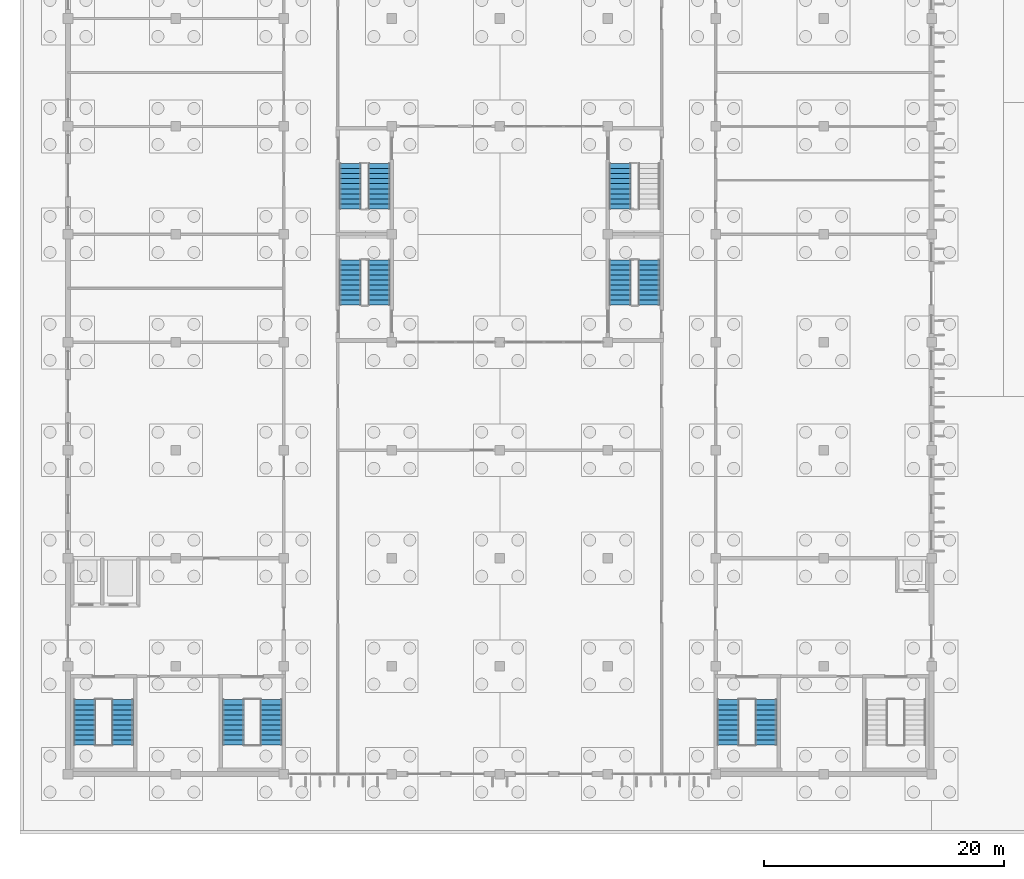
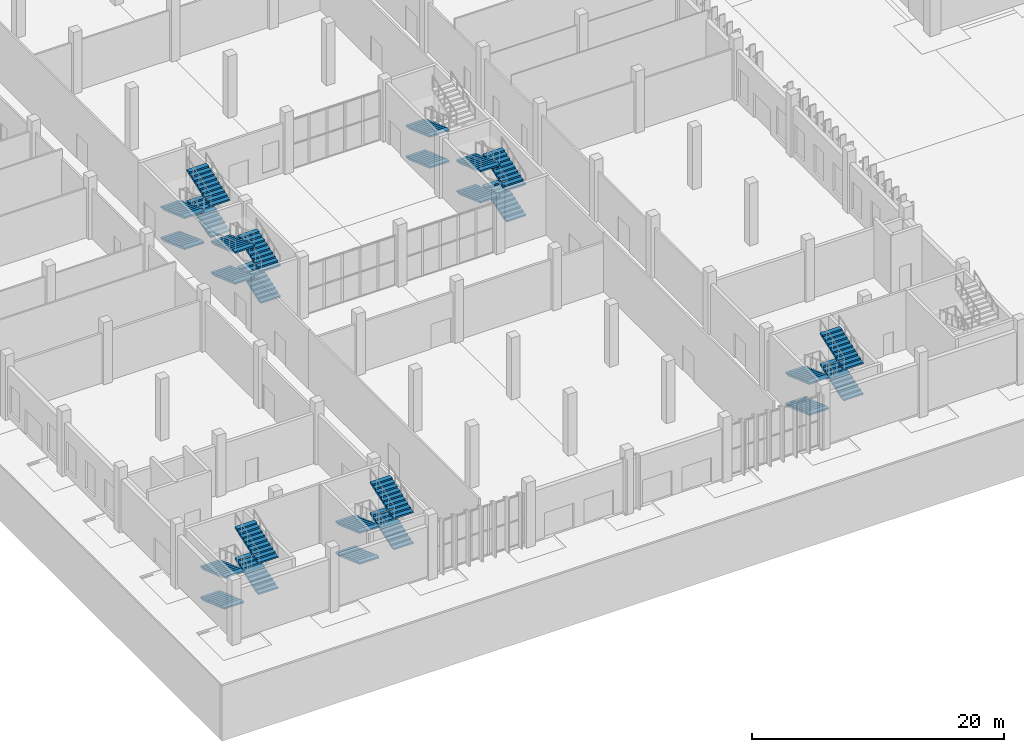
# One storey, part 108 of 198: 26 stair flights, 7 elements without a shape of their own.
"""IFC4 building model written with IfcOpenShell, lengths in metres."""

from ifc_helpers import new_model, si_unit, direction, frame, origin, place, context, subcontext, project, spatial, polyline, outline, extrude, material, type_object, element, aggregate, save


model = new_model("IFC4")

# Units and contexts
model_context = context("Model", 3, precision=1e-05, world=origin(), true_north=direction((0.0, 1.0)))
body_context = subcontext(model_context, "Body", "Model", "MODEL_VIEW")
ifc_project = project(units=[si_unit("LENGTHUNIT", "METRE"), si_unit("AREAUNIT", "SQUARE_METRE"), si_unit("VOLUMEUNIT", "CUBIC_METRE"), si_unit("PLANEANGLEUNIT", "RADIAN"), si_unit("MASSUNIT", "GRAM", prefix="KILO")], contexts=[model_context])

# Site, building, storey
site_placement = place(None, origin())
site = spatial("IfcSite", under=ifc_project, at=site_placement, CompositionType="ELEMENT")
building_placement = place(site_placement, origin())
building = spatial("IfcBuilding", under=site, at=building_placement, Name="Opaline Strait Convention Centre", CompositionType="ELEMENT")
storey_placement = place(building_placement, origin())
storey = spatial("IfcBuildingStorey", under=building, at=storey_placement, Name="L00", CompositionType="ELEMENT", Elevation=0.0)

# Stair, stair flights
ifc_material = material(Name="Concrete C40", Category="concrete")
stair_type = type_object("IfcStairType", Name="Exit stair two flights 1800 C40", PredefinedType="HALF_TURN_STAIR", material=ifc_material)
stair_1_placement = place(storey_placement, origin())
stair_1 = element("IfcStair", 1, at=stair_1_placement, inside=storey, type_object=stair_type, Name="L00 SWA", ObjectType="RST1", PredefinedType="HALF_TURN_STAIR")
stair_flight_type = type_object("IfcStairFlightType", Name="Stair flight 1800 C40", PredefinedType="STRAIGHT", material=ifc_material)
stair_flight_1_placement = place(storey_placement, frame((10.39990234375, 15.199951171875, 0.0), z_axis=(0.0, 0.0, 1.0), x_axis=(0.0, -1.0, 0.0)))
stair_flight_1 = element("IfcStairFlight", 2, at=stair_flight_1_placement, type_object=stair_flight_type, Name="SWA flight 1", ObjectType="RSF1", NumberOfRisers=10, NumberOfTreads=9, PredefinedType="STRAIGHT", RiserHeight=0.15, TreadLength=0.42, context=body_context, shape_type="SweptSolid", body=[
    extrude(outline(polyline([(0.0, 0.0), (0.0, 0.14990234375), (0.419921875, 0.14990234375), (0.419921875, 0.300048828125), (0.840087890625, 0.300048828125), (0.840087890625, 0.449951171875), (1.260009765625, 0.449951171875), (1.260009765625, 0.60009765625), (1.679931640625, 0.60009765625), (1.679931640625, 0.75), (2.10009765625, 0.75), (2.10009765625, 0.89990234375), (2.52001953125, 0.89990234375), (2.52001953125, 1.050048828125), (2.93994140625, 1.050048828125), (2.93994140625, 1.199951171875), (3.360107421875, 1.199951171875), (3.360107421875, 1.35009765625), (3.780029296875, 1.35009765625), (3.780029296875, 1.5), (3.780029296875, 1.19091796875), (0.44580078125, 0.0), (0.0, 0.0)])), frame((0.0, 0.89990234375, 0.0), z_axis=(0.0, -1.0, 0.0), x_axis=(1.0, 0.0, 0.0)), (0.0, 0.0, 1.0), 1.800048828125),
])
stair_flight_2_placement = place(storey_placement, frame((13.550048828125, 11.419921875, 1.5), z_axis=(0.0, 0.0, 1.0), x_axis=(0.0, 1.0, 0.0)))
stair_flight_2 = element("IfcStairFlight", 3, at=stair_flight_2_placement, type_object=stair_flight_type, Name="SWA flight 2", ObjectType="RSF1", NumberOfRisers=10, NumberOfTreads=9, PredefinedType="STRAIGHT", RiserHeight=0.15, TreadLength=0.42, context=body_context, shape_type="SweptSolid", body=[
    extrude(outline(polyline([(0.0, 0.0), (0.0, 0.14990234375), (0.419921875, 0.14990234375), (0.419921875, 0.300048828125), (0.840087890625, 0.300048828125), (0.840087890625, 0.449951171875), (1.260009765625, 0.449951171875), (1.260009765625, 0.60009765625), (1.679931640625, 0.60009765625), (1.679931640625, 0.75), (2.10009765625, 0.75), (2.10009765625, 0.89990234375), (2.52001953125, 0.89990234375), (2.52001953125, 1.050048828125), (2.93994140625, 1.050048828125), (2.93994140625, 1.199951171875), (3.360107421875, 1.199951171875), (3.360107421875, 1.35009765625), (3.780029296875, 1.35009765625), (3.780029296875, 1.5), (3.780029296875, 1.19091796875), (0.44580078125, 0.0), (0.0, 0.0)])), frame((0.0, 0.89990234375, 0.0), z_axis=(0.0, -1.0, 0.0), x_axis=(1.0, 0.0, 0.0)), (0.0, 0.0, 1.0), 1.800048828125),
])
stair_flight_3_placement = place(storey_placement, frame((10.39990234375, 15.199951171875, 3.0), z_axis=(0.0, 0.0, 1.0), x_axis=(0.0, -1.0, 0.0)))
stair_flight_3 = element("IfcStairFlight", 4, at=stair_flight_3_placement, type_object=stair_flight_type, Name="SWA flight 3", ObjectType="RSF1", NumberOfRisers=10, NumberOfTreads=9, PredefinedType="STRAIGHT", RiserHeight=0.15, TreadLength=0.42, context=body_context, shape_type="SweptSolid", body=[
    extrude(outline(polyline([(0.0, 0.0), (0.0, 0.14990234375), (0.419921875, 0.14990234375), (0.419921875, 0.300048828125), (0.840087890625, 0.300048828125), (0.840087890625, 0.449951171875), (1.260009765625, 0.449951171875), (1.260009765625, 0.60009765625), (1.679931640625, 0.60009765625), (1.679931640625, 0.75), (2.10009765625, 0.75), (2.10009765625, 0.89990234375), (2.52001953125, 0.89990234375), (2.52001953125, 1.050048828125), (2.93994140625, 1.050048828125), (2.93994140625, 1.199951171875), (3.360107421875, 1.199951171875), (3.360107421875, 1.35009765625), (3.780029296875, 1.35009765625), (3.780029296875, 1.5), (3.780029296875, 1.19091796875), (0.44580078125, 0.0), (0.0, 0.0)])), frame((0.0, 0.89990234375, 0.0), z_axis=(0.0, -1.0, 0.0), x_axis=(1.0, 0.0, 0.0)), (0.0, 0.0, 1.0), 1.800048828125),
])
stair_flight_4_placement = place(storey_placement, frame((13.550048828125, 11.419921875, 4.5), z_axis=(0.0, 0.0, 1.0), x_axis=(0.0, 1.0, 0.0)))
stair_flight_4 = element("IfcStairFlight", 5, at=stair_flight_4_placement, type_object=stair_flight_type, Name="SWA flight 4", ObjectType="RSF1", NumberOfRisers=10, NumberOfTreads=9, PredefinedType="STRAIGHT", RiserHeight=0.15, TreadLength=0.42, context=body_context, shape_type="SweptSolid", body=[
    extrude(outline(polyline([(0.0, 0.0), (0.0, 0.14990234375), (0.419921875, 0.14990234375), (0.419921875, 0.300048828125), (0.840087890625, 0.300048828125), (0.840087890625, 0.449951171875), (1.260009765625, 0.449951171875), (1.260009765625, 0.60009765625), (1.679931640625, 0.60009765625), (1.679931640625, 0.75), (2.10009765625, 0.75), (2.10009765625, 0.89990234375), (2.52001953125, 0.89990234375), (2.52001953125, 1.050048828125), (2.93994140625, 1.050048828125), (2.93994140625, 1.199951171875), (3.360107421875, 1.199951171875), (3.360107421875, 1.35009765625), (3.780029296875, 1.35009765625), (3.780029296875, 1.5), (3.780029296875, 1.19091796875), (0.44580078125, 0.0), (0.0, 0.0)])), frame((0.0, 0.89990234375, 0.0), z_axis=(0.0, -1.0, 0.0), x_axis=(1.0, 0.0, 0.0)), (0.0, 0.0, 1.0), 1.800048828125),
])
aggregate(stair_1, [stair_flight_1, stair_flight_2, stair_flight_3, stair_flight_4])

stair_2_placement = place(storey_placement, origin())
stair_2 = element("IfcStair", 6, at=stair_2_placement, inside=storey, type_object=stair_type, Name="L00 SWB", ObjectType="RST1", PredefinedType="HALF_TURN_STAIR")
stair_flight_5_placement = place(storey_placement, frame((22.800048828125, 15.199951171875, 0.0), z_axis=(0.0, 0.0, 1.0), x_axis=(0.0, -1.0, 0.0)))
stair_flight_5 = element("IfcStairFlight", 7, at=stair_flight_5_placement, type_object=stair_flight_type, Name="SWB flight 1", ObjectType="RSF1", NumberOfRisers=10, NumberOfTreads=9, PredefinedType="STRAIGHT", RiserHeight=0.15, TreadLength=0.42, context=body_context, shape_type="SweptSolid", body=[
    extrude(outline(polyline([(0.0, 0.0), (0.0, 0.14990234375), (0.419921875, 0.14990234375), (0.419921875, 0.300048828125), (0.840087890625, 0.300048828125), (0.840087890625, 0.449951171875), (1.260009765625, 0.449951171875), (1.260009765625, 0.60009765625), (1.679931640625, 0.60009765625), (1.679931640625, 0.75), (2.10009765625, 0.75), (2.10009765625, 0.89990234375), (2.52001953125, 0.89990234375), (2.52001953125, 1.050048828125), (2.93994140625, 1.050048828125), (2.93994140625, 1.199951171875), (3.360107421875, 1.199951171875), (3.360107421875, 1.35009765625), (3.780029296875, 1.35009765625), (3.780029296875, 1.5), (3.780029296875, 1.19091796875), (0.44580078125, 0.0), (0.0, 0.0)])), frame((0.0, 0.89990234375, 0.0), z_axis=(0.0, -1.0, 0.0), x_axis=(1.0, 0.0, 0.0)), (0.0, 0.0, 1.0), 1.800048828125),
])
stair_flight_6_placement = place(storey_placement, frame((25.949951171875, 11.419921875, 1.5), z_axis=(0.0, 0.0, 1.0), x_axis=(0.0, 1.0, 0.0)))
stair_flight_6 = element("IfcStairFlight", 8, at=stair_flight_6_placement, type_object=stair_flight_type, Name="SWB flight 2", ObjectType="RSF1", NumberOfRisers=10, NumberOfTreads=9, PredefinedType="STRAIGHT", RiserHeight=0.15, TreadLength=0.42, context=body_context, shape_type="SweptSolid", body=[
    extrude(outline(polyline([(0.0, 0.0), (0.0, 0.14990234375), (0.419921875, 0.14990234375), (0.419921875, 0.300048828125), (0.840087890625, 0.300048828125), (0.840087890625, 0.449951171875), (1.260009765625, 0.449951171875), (1.260009765625, 0.60009765625), (1.679931640625, 0.60009765625), (1.679931640625, 0.75), (2.10009765625, 0.75), (2.10009765625, 0.89990234375), (2.52001953125, 0.89990234375), (2.52001953125, 1.050048828125), (2.93994140625, 1.050048828125), (2.93994140625, 1.199951171875), (3.360107421875, 1.199951171875), (3.360107421875, 1.35009765625), (3.780029296875, 1.35009765625), (3.780029296875, 1.5), (3.780029296875, 1.19091796875), (0.44580078125, 0.0), (0.0, 0.0)])), frame((0.0, 0.89990234375, 0.0), z_axis=(0.0, -1.0, 0.0), x_axis=(1.0, 0.0, 0.0)), (0.0, 0.0, 1.0), 1.800048828125),
])
stair_flight_7_placement = place(storey_placement, frame((22.800048828125, 15.199951171875, 3.0), z_axis=(0.0, 0.0, 1.0), x_axis=(0.0, -1.0, 0.0)))
stair_flight_7 = element("IfcStairFlight", 9, at=stair_flight_7_placement, type_object=stair_flight_type, Name="SWB flight 3", ObjectType="RSF1", NumberOfRisers=10, NumberOfTreads=9, PredefinedType="STRAIGHT", RiserHeight=0.15, TreadLength=0.42, context=body_context, shape_type="SweptSolid", body=[
    extrude(outline(polyline([(0.0, 0.0), (0.0, 0.14990234375), (0.419921875, 0.14990234375), (0.419921875, 0.300048828125), (0.840087890625, 0.300048828125), (0.840087890625, 0.449951171875), (1.260009765625, 0.449951171875), (1.260009765625, 0.60009765625), (1.679931640625, 0.60009765625), (1.679931640625, 0.75), (2.10009765625, 0.75), (2.10009765625, 0.89990234375), (2.52001953125, 0.89990234375), (2.52001953125, 1.050048828125), (2.93994140625, 1.050048828125), (2.93994140625, 1.199951171875), (3.360107421875, 1.199951171875), (3.360107421875, 1.35009765625), (3.780029296875, 1.35009765625), (3.780029296875, 1.5), (3.780029296875, 1.19091796875), (0.44580078125, 0.0), (0.0, 0.0)])), frame((0.0, 0.89990234375, 0.0), z_axis=(0.0, -1.0, 0.0), x_axis=(1.0, 0.0, 0.0)), (0.0, 0.0, 1.0), 1.800048828125),
])
stair_flight_8_placement = place(storey_placement, frame((25.949951171875, 11.419921875, 4.5), z_axis=(0.0, 0.0, 1.0), x_axis=(0.0, 1.0, 0.0)))
stair_flight_8 = element("IfcStairFlight", 10, at=stair_flight_8_placement, type_object=stair_flight_type, Name="SWB flight 4", ObjectType="RSF1", NumberOfRisers=10, NumberOfTreads=9, PredefinedType="STRAIGHT", RiserHeight=0.15, TreadLength=0.42, context=body_context, shape_type="SweptSolid", body=[
    extrude(outline(polyline([(0.0, 0.0), (0.0, 0.14990234375), (0.419921875, 0.14990234375), (0.419921875, 0.300048828125), (0.840087890625, 0.300048828125), (0.840087890625, 0.449951171875), (1.260009765625, 0.449951171875), (1.260009765625, 0.60009765625), (1.679931640625, 0.60009765625), (1.679931640625, 0.75), (2.10009765625, 0.75), (2.10009765625, 0.89990234375), (2.52001953125, 0.89990234375), (2.52001953125, 1.050048828125), (2.93994140625, 1.050048828125), (2.93994140625, 1.199951171875), (3.360107421875, 1.199951171875), (3.360107421875, 1.35009765625), (3.780029296875, 1.35009765625), (3.780029296875, 1.5), (3.780029296875, 1.19091796875), (0.44580078125, 0.0), (0.0, 0.0)])), frame((0.0, 0.89990234375, 0.0), z_axis=(0.0, -1.0, 0.0), x_axis=(1.0, 0.0, 0.0)), (0.0, 0.0, 1.0), 1.800048828125),
])
aggregate(stair_2, [stair_flight_5, stair_flight_6, stair_flight_7, stair_flight_8])

stair_3_placement = place(storey_placement, origin())
stair_3 = element("IfcStair", 11, at=stair_3_placement, inside=storey, type_object=stair_type, Name="L00 SEB", ObjectType="RST1", PredefinedType="HALF_TURN_STAIR")
stair_flight_9_placement = place(storey_placement, frame((64.050048828125, 15.199951171875, 0.0), z_axis=(0.0, 0.0, 1.0), x_axis=(0.0, -1.0, 0.0)))
stair_flight_9 = element("IfcStairFlight", 12, at=stair_flight_9_placement, type_object=stair_flight_type, Name="SEB flight 1", ObjectType="RSF1", NumberOfRisers=10, NumberOfTreads=9, PredefinedType="STRAIGHT", RiserHeight=0.15, TreadLength=0.42, context=body_context, shape_type="SweptSolid", body=[
    extrude(outline(polyline([(0.0, 0.0), (0.0, 0.14990234375), (0.419921875, 0.14990234375), (0.419921875, 0.300048828125), (0.840087890625, 0.300048828125), (0.840087890625, 0.449951171875), (1.260009765625, 0.449951171875), (1.260009765625, 0.60009765625), (1.679931640625, 0.60009765625), (1.679931640625, 0.75), (2.10009765625, 0.75), (2.10009765625, 0.89990234375), (2.52001953125, 0.89990234375), (2.52001953125, 1.050048828125), (2.93994140625, 1.050048828125), (2.93994140625, 1.199951171875), (3.360107421875, 1.199951171875), (3.360107421875, 1.35009765625), (3.780029296875, 1.35009765625), (3.780029296875, 1.5), (3.780029296875, 1.19091796875), (0.44580078125, 0.0), (0.0, 0.0)])), frame((0.0, 0.89990234375, 0.0), z_axis=(0.0, -1.0, 0.0), x_axis=(1.0, 0.0, 0.0)), (0.0, 0.0, 1.0), 1.800048828125),
])
stair_flight_10_placement = place(storey_placement, frame((67.199951171875, 11.419921875, 1.5), z_axis=(0.0, 0.0, 1.0), x_axis=(0.0, 1.0, 0.0)))
stair_flight_10 = element("IfcStairFlight", 13, at=stair_flight_10_placement, type_object=stair_flight_type, Name="SEB flight 2", ObjectType="RSF1", NumberOfRisers=10, NumberOfTreads=9, PredefinedType="STRAIGHT", RiserHeight=0.15, TreadLength=0.42, context=body_context, shape_type="SweptSolid", body=[
    extrude(outline(polyline([(0.0, 0.0), (0.0, 0.14990234375), (0.419921875, 0.14990234375), (0.419921875, 0.300048828125), (0.840087890625, 0.300048828125), (0.840087890625, 0.449951171875), (1.260009765625, 0.449951171875), (1.260009765625, 0.60009765625), (1.679931640625, 0.60009765625), (1.679931640625, 0.75), (2.10009765625, 0.75), (2.10009765625, 0.89990234375), (2.52001953125, 0.89990234375), (2.52001953125, 1.050048828125), (2.93994140625, 1.050048828125), (2.93994140625, 1.199951171875), (3.360107421875, 1.199951171875), (3.360107421875, 1.35009765625), (3.780029296875, 1.35009765625), (3.780029296875, 1.5), (3.780029296875, 1.19091796875), (0.44580078125, 0.0), (0.0, 0.0)])), frame((0.0, 0.89990234375, 0.0), z_axis=(0.0, -1.0, 0.0), x_axis=(1.0, 0.0, 0.0)), (0.0, 0.0, 1.0), 1.800048828125),
])
stair_flight_11_placement = place(storey_placement, frame((64.050048828125, 15.199951171875, 3.0), z_axis=(0.0, 0.0, 1.0), x_axis=(0.0, -1.0, 0.0)))
stair_flight_11 = element("IfcStairFlight", 14, at=stair_flight_11_placement, type_object=stair_flight_type, Name="SEB flight 3", ObjectType="RSF1", NumberOfRisers=10, NumberOfTreads=9, PredefinedType="STRAIGHT", RiserHeight=0.15, TreadLength=0.42, context=body_context, shape_type="SweptSolid", body=[
    extrude(outline(polyline([(0.0, 0.0), (0.0, 0.14990234375), (0.419921875, 0.14990234375), (0.419921875, 0.300048828125), (0.840087890625, 0.300048828125), (0.840087890625, 0.449951171875), (1.260009765625, 0.449951171875), (1.260009765625, 0.60009765625), (1.679931640625, 0.60009765625), (1.679931640625, 0.75), (2.10009765625, 0.75), (2.10009765625, 0.89990234375), (2.52001953125, 0.89990234375), (2.52001953125, 1.050048828125), (2.93994140625, 1.050048828125), (2.93994140625, 1.199951171875), (3.360107421875, 1.199951171875), (3.360107421875, 1.35009765625), (3.780029296875, 1.35009765625), (3.780029296875, 1.5), (3.780029296875, 1.19091796875), (0.44580078125, 0.0), (0.0, 0.0)])), frame((0.0, 0.89990234375, 0.0), z_axis=(0.0, -1.0, 0.0), x_axis=(1.0, 0.0, 0.0)), (0.0, 0.0, 1.0), 1.800048828125),
])
stair_flight_12_placement = place(storey_placement, frame((67.199951171875, 11.419921875, 4.5), z_axis=(0.0, 0.0, 1.0), x_axis=(0.0, 1.0, 0.0)))
stair_flight_12 = element("IfcStairFlight", 15, at=stair_flight_12_placement, type_object=stair_flight_type, Name="SEB flight 4", ObjectType="RSF1", NumberOfRisers=10, NumberOfTreads=9, PredefinedType="STRAIGHT", RiserHeight=0.15, TreadLength=0.42, context=body_context, shape_type="SweptSolid", body=[
    extrude(outline(polyline([(0.0, 0.0), (0.0, 0.14990234375), (0.419921875, 0.14990234375), (0.419921875, 0.300048828125), (0.840087890625, 0.300048828125), (0.840087890625, 0.449951171875), (1.260009765625, 0.449951171875), (1.260009765625, 0.60009765625), (1.679931640625, 0.60009765625), (1.679931640625, 0.75), (2.10009765625, 0.75), (2.10009765625, 0.89990234375), (2.52001953125, 0.89990234375), (2.52001953125, 1.050048828125), (2.93994140625, 1.050048828125), (2.93994140625, 1.199951171875), (3.360107421875, 1.199951171875), (3.360107421875, 1.35009765625), (3.780029296875, 1.35009765625), (3.780029296875, 1.5), (3.780029296875, 1.19091796875), (0.44580078125, 0.0), (0.0, 0.0)])), frame((0.0, 0.89990234375, 0.0), z_axis=(0.0, -1.0, 0.0), x_axis=(1.0, 0.0, 0.0)), (0.0, 0.0, 1.0), 1.800048828125),
])
aggregate(stair_3, [stair_flight_9, stair_flight_10, stair_flight_11, stair_flight_12])

stair_4_placement = place(storey_placement, origin())
stair_4 = element("IfcStair", 16, at=stair_4_placement, inside=storey, type_object=stair_type, Name="L00 ME1", ObjectType="RST1", PredefinedType="HALF_TURN_STAIR")
stair_flight_13_placement = place(storey_placement, frame((57.449951171875, 48.10009765625, 0.0), z_axis=(0.0, 0.0, 1.0), x_axis=(0.0, 1.0, 0.0)))
stair_flight_13 = element("IfcStairFlight", 17, at=stair_flight_13_placement, type_object=stair_flight_type, Name="ME1 flight 1", ObjectType="RSF1", NumberOfRisers=10, NumberOfTreads=9, PredefinedType="STRAIGHT", RiserHeight=0.15, TreadLength=0.42, context=body_context, shape_type="SweptSolid", body=[
    extrude(outline(polyline([(0.0, 0.0), (0.0, 0.14990234375), (0.419921875, 0.14990234375), (0.419921875, 0.300048828125), (0.840087890625, 0.300048828125), (0.840087890625, 0.449951171875), (1.260009765625, 0.449951171875), (1.260009765625, 0.60009765625), (1.679931640625, 0.60009765625), (1.679931640625, 0.75), (2.10009765625, 0.75), (2.10009765625, 0.89990234375), (2.52001953125, 0.89990234375), (2.52001953125, 1.050048828125), (2.93994140625, 1.050048828125), (2.93994140625, 1.199951171875), (3.360107421875, 1.199951171875), (3.360107421875, 1.35009765625), (3.780029296875, 1.35009765625), (3.780029296875, 1.5), (3.780029296875, 1.19091796875), (0.44580078125, 0.0), (0.0, 0.0)])), frame((0.0, 0.89990234375, 0.0), z_axis=(0.0, -1.0, 0.0), x_axis=(1.0, 0.0, 0.0)), (0.0, 0.0, 1.0), 1.800048828125),
])
stair_flight_14_placement = place(storey_placement, frame((55.050048828125, 51.8798828125, 1.5), z_axis=(0.0, 0.0, 1.0), x_axis=(0.0, -1.0, 0.0)))
stair_flight_14 = element("IfcStairFlight", 18, at=stair_flight_14_placement, type_object=stair_flight_type, Name="ME1 flight 2", ObjectType="RSF1", NumberOfRisers=10, NumberOfTreads=9, PredefinedType="STRAIGHT", RiserHeight=0.15, TreadLength=0.42, context=body_context, shape_type="SweptSolid", body=[
    extrude(outline(polyline([(0.0, 0.0), (0.0, 0.14990234375), (0.419921875, 0.14990234375), (0.419921875, 0.300048828125), (0.840087890625, 0.300048828125), (0.840087890625, 0.449951171875), (1.260009765625, 0.449951171875), (1.260009765625, 0.60009765625), (1.679931640625, 0.60009765625), (1.679931640625, 0.75), (2.10009765625, 0.75), (2.10009765625, 0.89990234375), (2.52001953125, 0.89990234375), (2.52001953125, 1.050048828125), (2.93994140625, 1.050048828125), (2.93994140625, 1.199951171875), (3.360107421875, 1.199951171875), (3.360107421875, 1.35009765625), (3.780029296875, 1.35009765625), (3.780029296875, 1.5), (3.780029296875, 1.19091796875), (0.44580078125, 0.0), (0.0, 0.0)])), frame((0.0, 0.89990234375, 0.0), z_axis=(0.0, -1.0, 0.0), x_axis=(1.0, 0.0, 0.0)), (0.0, 0.0, 1.0), 1.800048828125),
])
stair_flight_15_placement = place(storey_placement, frame((57.449951171875, 48.10009765625, 3.0), z_axis=(0.0, 0.0, 1.0), x_axis=(0.0, 1.0, 0.0)))
stair_flight_15 = element("IfcStairFlight", 19, at=stair_flight_15_placement, type_object=stair_flight_type, Name="ME1 flight 3", ObjectType="RSF1", NumberOfRisers=10, NumberOfTreads=9, PredefinedType="STRAIGHT", RiserHeight=0.15, TreadLength=0.42, context=body_context, shape_type="SweptSolid", body=[
    extrude(outline(polyline([(0.0, 0.0), (0.0, 0.14990234375), (0.419921875, 0.14990234375), (0.419921875, 0.300048828125), (0.840087890625, 0.300048828125), (0.840087890625, 0.449951171875), (1.260009765625, 0.449951171875), (1.260009765625, 0.60009765625), (1.679931640625, 0.60009765625), (1.679931640625, 0.75), (2.10009765625, 0.75), (2.10009765625, 0.89990234375), (2.52001953125, 0.89990234375), (2.52001953125, 1.050048828125), (2.93994140625, 1.050048828125), (2.93994140625, 1.199951171875), (3.360107421875, 1.199951171875), (3.360107421875, 1.35009765625), (3.780029296875, 1.35009765625), (3.780029296875, 1.5), (3.780029296875, 1.19091796875), (0.44580078125, 0.0), (0.0, 0.0)])), frame((0.0, 0.89990234375, 0.0), z_axis=(0.0, -1.0, 0.0), x_axis=(1.0, 0.0, 0.0)), (0.0, 0.0, 1.0), 1.800048828125),
])
stair_flight_16_placement = place(storey_placement, frame((55.050048828125, 51.8798828125, 4.5), z_axis=(0.0, 0.0, 1.0), x_axis=(0.0, -1.0, 0.0)))
stair_flight_16 = element("IfcStairFlight", 20, at=stair_flight_16_placement, type_object=stair_flight_type, Name="ME1 flight 4", ObjectType="RSF1", NumberOfRisers=10, NumberOfTreads=9, PredefinedType="STRAIGHT", RiserHeight=0.15, TreadLength=0.42, context=body_context, shape_type="SweptSolid", body=[
    extrude(outline(polyline([(0.0, 0.0), (0.0, 0.14990234375), (0.419921875, 0.14990234375), (0.419921875, 0.300048828125), (0.840087890625, 0.300048828125), (0.840087890625, 0.449951171875), (1.260009765625, 0.449951171875), (1.260009765625, 0.60009765625), (1.679931640625, 0.60009765625), (1.679931640625, 0.75), (2.10009765625, 0.75), (2.10009765625, 0.89990234375), (2.52001953125, 0.89990234375), (2.52001953125, 1.050048828125), (2.93994140625, 1.050048828125), (2.93994140625, 1.199951171875), (3.360107421875, 1.199951171875), (3.360107421875, 1.35009765625), (3.780029296875, 1.35009765625), (3.780029296875, 1.5), (3.780029296875, 1.19091796875), (0.44580078125, 0.0), (0.0, 0.0)])), frame((0.0, 0.89990234375, 0.0), z_axis=(0.0, -1.0, 0.0), x_axis=(1.0, 0.0, 0.0)), (0.0, 0.0, 1.0), 1.800048828125),
])
aggregate(stair_4, [stair_flight_13, stair_flight_14, stair_flight_15, stair_flight_16])

stair_5_placement = place(storey_placement, origin())
stair_5 = element("IfcStair", 21, at=stair_5_placement, inside=storey, type_object=stair_type, Name="L00 ME2", ObjectType="RST1", PredefinedType="HALF_TURN_STAIR")
stair_flight_17_placement = place(storey_placement, frame((55.050048828125, 59.89990234375, 0.0), z_axis=(0.0, 0.0, 1.0), x_axis=(0.0, -1.0, 0.0)))
stair_flight_17 = element("IfcStairFlight", 22, at=stair_flight_17_placement, type_object=stair_flight_type, Name="ME2 flight 1", ObjectType="RSF1", NumberOfRisers=10, NumberOfTreads=9, PredefinedType="STRAIGHT", RiserHeight=0.15, TreadLength=0.42, context=body_context, shape_type="SweptSolid", body=[
    extrude(outline(polyline([(0.0, 0.0), (0.0, 0.14990234375), (0.419921875, 0.14990234375), (0.419921875, 0.300048828125), (0.840087890625, 0.300048828125), (0.840087890625, 0.449951171875), (1.260009765625, 0.449951171875), (1.260009765625, 0.60009765625), (1.679931640625, 0.60009765625), (1.679931640625, 0.75), (2.10009765625, 0.75), (2.10009765625, 0.89990234375), (2.52001953125, 0.89990234375), (2.52001953125, 1.050048828125), (2.93994140625, 1.050048828125), (2.93994140625, 1.199951171875), (3.360107421875, 1.199951171875), (3.360107421875, 1.35009765625), (3.780029296875, 1.35009765625), (3.780029296875, 1.5), (3.780029296875, 1.19091796875), (0.44580078125, 0.0), (0.0, 0.0)])), frame((0.0, 0.89990234375, 0.0), z_axis=(0.0, -1.0, 0.0), x_axis=(1.0, 0.0, 0.0)), (0.0, 0.0, 1.0), 1.800048828125),
])
stair_flight_18_placement = place(storey_placement, frame((55.050048828125, 59.89990234375, 3.0), z_axis=(0.0, 0.0, 1.0), x_axis=(0.0, -1.0, 0.0)))
stair_flight_18 = element("IfcStairFlight", 23, at=stair_flight_18_placement, type_object=stair_flight_type, Name="ME2 flight 3", ObjectType="RSF1", NumberOfRisers=10, NumberOfTreads=9, PredefinedType="STRAIGHT", RiserHeight=0.15, TreadLength=0.42, context=body_context, shape_type="SweptSolid", body=[
    extrude(outline(polyline([(0.0, 0.0), (0.0, 0.14990234375), (0.419921875, 0.14990234375), (0.419921875, 0.300048828125), (0.840087890625, 0.300048828125), (0.840087890625, 0.449951171875), (1.260009765625, 0.449951171875), (1.260009765625, 0.60009765625), (1.679931640625, 0.60009765625), (1.679931640625, 0.75), (2.10009765625, 0.75), (2.10009765625, 0.89990234375), (2.52001953125, 0.89990234375), (2.52001953125, 1.050048828125), (2.93994140625, 1.050048828125), (2.93994140625, 1.199951171875), (3.360107421875, 1.199951171875), (3.360107421875, 1.35009765625), (3.780029296875, 1.35009765625), (3.780029296875, 1.5), (3.780029296875, 1.19091796875), (0.44580078125, 0.0), (0.0, 0.0)])), frame((0.0, 0.89990234375, 0.0), z_axis=(0.0, -1.0, 0.0), x_axis=(1.0, 0.0, 0.0)), (0.0, 0.0, 1.0), 1.800048828125),
])
aggregate(stair_5, [stair_flight_17, stair_flight_18])

stair_6_placement = place(storey_placement, origin())
stair_6 = element("IfcStair", 24, at=stair_6_placement, inside=storey, type_object=stair_type, Name="L00 MW1", ObjectType="RST1", PredefinedType="HALF_TURN_STAIR")
stair_flight_19_placement = place(storey_placement, frame((34.949951171875, 48.10009765625, 0.0), z_axis=(0.0, 0.0, 1.0), x_axis=(0.0, 1.0, 0.0)))
stair_flight_19 = element("IfcStairFlight", 25, at=stair_flight_19_placement, type_object=stair_flight_type, Name="MW1 flight 1", ObjectType="RSF1", NumberOfRisers=10, NumberOfTreads=9, PredefinedType="STRAIGHT", RiserHeight=0.15, TreadLength=0.42, context=body_context, shape_type="SweptSolid", body=[
    extrude(outline(polyline([(0.0, 0.0), (0.0, 0.14990234375), (0.419921875, 0.14990234375), (0.419921875, 0.300048828125), (0.840087890625, 0.300048828125), (0.840087890625, 0.449951171875), (1.260009765625, 0.449951171875), (1.260009765625, 0.60009765625), (1.679931640625, 0.60009765625), (1.679931640625, 0.75), (2.10009765625, 0.75), (2.10009765625, 0.89990234375), (2.52001953125, 0.89990234375), (2.52001953125, 1.050048828125), (2.93994140625, 1.050048828125), (2.93994140625, 1.199951171875), (3.360107421875, 1.199951171875), (3.360107421875, 1.35009765625), (3.780029296875, 1.35009765625), (3.780029296875, 1.5), (3.780029296875, 1.19091796875), (0.44580078125, 0.0), (0.0, 0.0)])), frame((0.0, 0.89990234375, 0.0), z_axis=(0.0, -1.0, 0.0), x_axis=(1.0, 0.0, 0.0)), (0.0, 0.0, 1.0), 1.800048828125),
])
stair_flight_20_placement = place(storey_placement, frame((32.550048828125, 51.8798828125, 1.5), z_axis=(0.0, 0.0, 1.0), x_axis=(0.0, -1.0, 0.0)))
stair_flight_20 = element("IfcStairFlight", 26, at=stair_flight_20_placement, type_object=stair_flight_type, Name="MW1 flight 2", ObjectType="RSF1", NumberOfRisers=10, NumberOfTreads=9, PredefinedType="STRAIGHT", RiserHeight=0.15, TreadLength=0.42, context=body_context, shape_type="SweptSolid", body=[
    extrude(outline(polyline([(0.0, 0.0), (0.0, 0.14990234375), (0.419921875, 0.14990234375), (0.419921875, 0.300048828125), (0.840087890625, 0.300048828125), (0.840087890625, 0.449951171875), (1.260009765625, 0.449951171875), (1.260009765625, 0.60009765625), (1.679931640625, 0.60009765625), (1.679931640625, 0.75), (2.10009765625, 0.75), (2.10009765625, 0.89990234375), (2.52001953125, 0.89990234375), (2.52001953125, 1.050048828125), (2.93994140625, 1.050048828125), (2.93994140625, 1.199951171875), (3.360107421875, 1.199951171875), (3.360107421875, 1.35009765625), (3.780029296875, 1.35009765625), (3.780029296875, 1.5), (3.780029296875, 1.19091796875), (0.44580078125, 0.0), (0.0, 0.0)])), frame((0.0, 0.89990234375, 0.0), z_axis=(0.0, -1.0, 0.0), x_axis=(1.0, 0.0, 0.0)), (0.0, 0.0, 1.0), 1.800048828125),
])
stair_flight_21_placement = place(storey_placement, frame((34.949951171875, 48.10009765625, 3.0), z_axis=(0.0, 0.0, 1.0), x_axis=(0.0, 1.0, 0.0)))
stair_flight_21 = element("IfcStairFlight", 27, at=stair_flight_21_placement, type_object=stair_flight_type, Name="MW1 flight 3", ObjectType="RSF1", NumberOfRisers=10, NumberOfTreads=9, PredefinedType="STRAIGHT", RiserHeight=0.15, TreadLength=0.42, context=body_context, shape_type="SweptSolid", body=[
    extrude(outline(polyline([(0.0, 0.0), (0.0, 0.14990234375), (0.419921875, 0.14990234375), (0.419921875, 0.300048828125), (0.840087890625, 0.300048828125), (0.840087890625, 0.449951171875), (1.260009765625, 0.449951171875), (1.260009765625, 0.60009765625), (1.679931640625, 0.60009765625), (1.679931640625, 0.75), (2.10009765625, 0.75), (2.10009765625, 0.89990234375), (2.52001953125, 0.89990234375), (2.52001953125, 1.050048828125), (2.93994140625, 1.050048828125), (2.93994140625, 1.199951171875), (3.360107421875, 1.199951171875), (3.360107421875, 1.35009765625), (3.780029296875, 1.35009765625), (3.780029296875, 1.5), (3.780029296875, 1.19091796875), (0.44580078125, 0.0), (0.0, 0.0)])), frame((0.0, 0.89990234375, 0.0), z_axis=(0.0, -1.0, 0.0), x_axis=(1.0, 0.0, 0.0)), (0.0, 0.0, 1.0), 1.800048828125),
])
stair_flight_22_placement = place(storey_placement, frame((32.550048828125, 51.8798828125, 4.5), z_axis=(0.0, 0.0, 1.0), x_axis=(0.0, -1.0, 0.0)))
stair_flight_22 = element("IfcStairFlight", 28, at=stair_flight_22_placement, type_object=stair_flight_type, Name="MW1 flight 4", ObjectType="RSF1", NumberOfRisers=10, NumberOfTreads=9, PredefinedType="STRAIGHT", RiserHeight=0.15, TreadLength=0.42, context=body_context, shape_type="SweptSolid", body=[
    extrude(outline(polyline([(0.0, 0.0), (0.0, 0.14990234375), (0.419921875, 0.14990234375), (0.419921875, 0.300048828125), (0.840087890625, 0.300048828125), (0.840087890625, 0.449951171875), (1.260009765625, 0.449951171875), (1.260009765625, 0.60009765625), (1.679931640625, 0.60009765625), (1.679931640625, 0.75), (2.10009765625, 0.75), (2.10009765625, 0.89990234375), (2.52001953125, 0.89990234375), (2.52001953125, 1.050048828125), (2.93994140625, 1.050048828125), (2.93994140625, 1.199951171875), (3.360107421875, 1.199951171875), (3.360107421875, 1.35009765625), (3.780029296875, 1.35009765625), (3.780029296875, 1.5), (3.780029296875, 1.19091796875), (0.44580078125, 0.0), (0.0, 0.0)])), frame((0.0, 0.89990234375, 0.0), z_axis=(0.0, -1.0, 0.0), x_axis=(1.0, 0.0, 0.0)), (0.0, 0.0, 1.0), 1.800048828125),
])
aggregate(stair_6, [stair_flight_19, stair_flight_20, stair_flight_21, stair_flight_22])

stair_7_placement = place(storey_placement, origin())
stair_7 = element("IfcStair", 29, at=stair_7_placement, inside=storey, type_object=stair_type, Name="L00 MW2", ObjectType="RST1", PredefinedType="HALF_TURN_STAIR")
stair_flight_23_placement = place(storey_placement, frame((32.550048828125, 59.89990234375, 0.0), z_axis=(0.0, 0.0, 1.0), x_axis=(0.0, -1.0, 0.0)))
stair_flight_23 = element("IfcStairFlight", 30, at=stair_flight_23_placement, type_object=stair_flight_type, Name="MW2 flight 1", ObjectType="RSF1", NumberOfRisers=10, NumberOfTreads=9, PredefinedType="STRAIGHT", RiserHeight=0.15, TreadLength=0.42, context=body_context, shape_type="SweptSolid", body=[
    extrude(outline(polyline([(0.0, 0.0), (0.0, 0.14990234375), (0.419921875, 0.14990234375), (0.419921875, 0.300048828125), (0.840087890625, 0.300048828125), (0.840087890625, 0.449951171875), (1.260009765625, 0.449951171875), (1.260009765625, 0.60009765625), (1.679931640625, 0.60009765625), (1.679931640625, 0.75), (2.10009765625, 0.75), (2.10009765625, 0.89990234375), (2.52001953125, 0.89990234375), (2.52001953125, 1.050048828125), (2.93994140625, 1.050048828125), (2.93994140625, 1.199951171875), (3.360107421875, 1.199951171875), (3.360107421875, 1.35009765625), (3.780029296875, 1.35009765625), (3.780029296875, 1.5), (3.780029296875, 1.19091796875), (0.44580078125, 0.0), (0.0, 0.0)])), frame((0.0, 0.89990234375, 0.0), z_axis=(0.0, -1.0, 0.0), x_axis=(1.0, 0.0, 0.0)), (0.0, 0.0, 1.0), 1.800048828125),
])
stair_flight_24_placement = place(storey_placement, frame((34.949951171875, 56.1201171875, 1.5), z_axis=(0.0, 0.0, 1.0), x_axis=(0.0, 1.0, 0.0)))
stair_flight_24 = element("IfcStairFlight", 31, at=stair_flight_24_placement, type_object=stair_flight_type, Name="MW2 flight 2", ObjectType="RSF1", NumberOfRisers=10, NumberOfTreads=9, PredefinedType="STRAIGHT", RiserHeight=0.15, TreadLength=0.42, context=body_context, shape_type="SweptSolid", body=[
    extrude(outline(polyline([(0.0, 0.0), (0.0, 0.14990234375), (0.419921875, 0.14990234375), (0.419921875, 0.300048828125), (0.840087890625, 0.300048828125), (0.840087890625, 0.449951171875), (1.260009765625, 0.449951171875), (1.260009765625, 0.60009765625), (1.679931640625, 0.60009765625), (1.679931640625, 0.75), (2.10009765625, 0.75), (2.10009765625, 0.89990234375), (2.52001953125, 0.89990234375), (2.52001953125, 1.050048828125), (2.93994140625, 1.050048828125), (2.93994140625, 1.199951171875), (3.360107421875, 1.199951171875), (3.360107421875, 1.35009765625), (3.780029296875, 1.35009765625), (3.780029296875, 1.5), (3.780029296875, 1.19091796875), (0.44580078125, 0.0), (0.0, 0.0)])), frame((0.0, 0.89990234375, 0.0), z_axis=(0.0, -1.0, 0.0), x_axis=(1.0, 0.0, 0.0)), (0.0, 0.0, 1.0), 1.800048828125),
])
stair_flight_25_placement = place(storey_placement, frame((32.550048828125, 59.89990234375, 3.0), z_axis=(0.0, 0.0, 1.0), x_axis=(0.0, -1.0, 0.0)))
stair_flight_25 = element("IfcStairFlight", 32, at=stair_flight_25_placement, type_object=stair_flight_type, Name="MW2 flight 3", ObjectType="RSF1", NumberOfRisers=10, NumberOfTreads=9, PredefinedType="STRAIGHT", RiserHeight=0.15, TreadLength=0.42, context=body_context, shape_type="SweptSolid", body=[
    extrude(outline(polyline([(0.0, 0.0), (0.0, 0.14990234375), (0.419921875, 0.14990234375), (0.419921875, 0.300048828125), (0.840087890625, 0.300048828125), (0.840087890625, 0.449951171875), (1.260009765625, 0.449951171875), (1.260009765625, 0.60009765625), (1.679931640625, 0.60009765625), (1.679931640625, 0.75), (2.10009765625, 0.75), (2.10009765625, 0.89990234375), (2.52001953125, 0.89990234375), (2.52001953125, 1.050048828125), (2.93994140625, 1.050048828125), (2.93994140625, 1.199951171875), (3.360107421875, 1.199951171875), (3.360107421875, 1.35009765625), (3.780029296875, 1.35009765625), (3.780029296875, 1.5), (3.780029296875, 1.19091796875), (0.44580078125, 0.0), (0.0, 0.0)])), frame((0.0, 0.89990234375, 0.0), z_axis=(0.0, -1.0, 0.0), x_axis=(1.0, 0.0, 0.0)), (0.0, 0.0, 1.0), 1.800048828125),
])
stair_flight_26_placement = place(storey_placement, frame((34.949951171875, 56.1201171875, 4.5), z_axis=(0.0, 0.0, 1.0), x_axis=(0.0, 1.0, 0.0)))
stair_flight_26 = element("IfcStairFlight", 33, at=stair_flight_26_placement, type_object=stair_flight_type, Name="MW2 flight 4", ObjectType="RSF1", NumberOfRisers=10, NumberOfTreads=9, PredefinedType="STRAIGHT", RiserHeight=0.15, TreadLength=0.42, context=body_context, shape_type="SweptSolid", body=[
    extrude(outline(polyline([(0.0, 0.0), (0.0, 0.14990234375), (0.419921875, 0.14990234375), (0.419921875, 0.300048828125), (0.840087890625, 0.300048828125), (0.840087890625, 0.449951171875), (1.260009765625, 0.449951171875), (1.260009765625, 0.60009765625), (1.679931640625, 0.60009765625), (1.679931640625, 0.75), (2.10009765625, 0.75), (2.10009765625, 0.89990234375), (2.52001953125, 0.89990234375), (2.52001953125, 1.050048828125), (2.93994140625, 1.050048828125), (2.93994140625, 1.199951171875), (3.360107421875, 1.199951171875), (3.360107421875, 1.35009765625), (3.780029296875, 1.35009765625), (3.780029296875, 1.5), (3.780029296875, 1.19091796875), (0.44580078125, 0.0), (0.0, 0.0)])), frame((0.0, 0.89990234375, 0.0), z_axis=(0.0, -1.0, 0.0), x_axis=(1.0, 0.0, 0.0)), (0.0, 0.0, 1.0), 1.800048828125),
])
aggregate(stair_7, [stair_flight_23, stair_flight_24, stair_flight_25, stair_flight_26])

save(model, "model.ifc")
